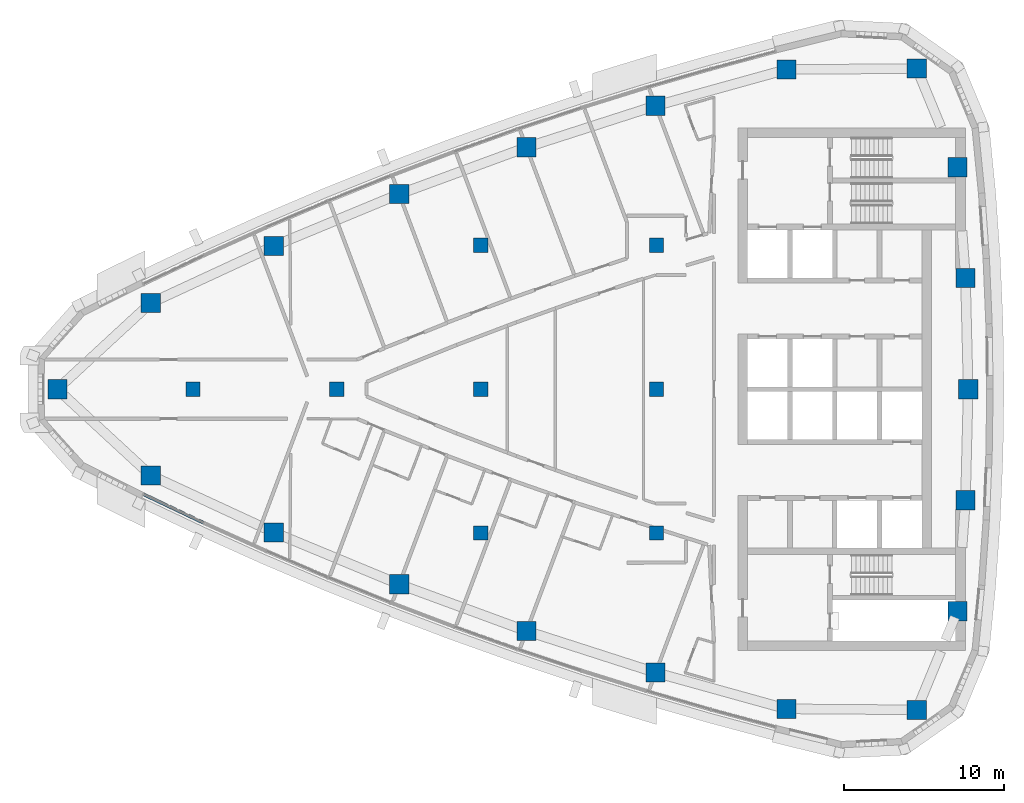
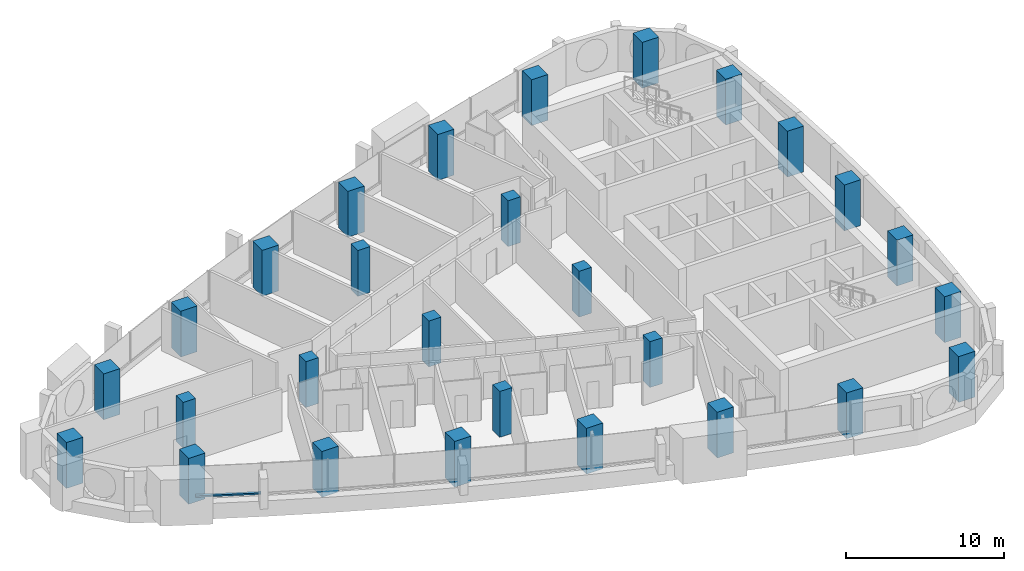
# One storey, part 1 of 16: 28 columns, 1 member, 1 element without a shape of its own.
"""IFC4 building model written with IfcOpenShell, lengths in metres."""

import ifcopenshell
import ifcopenshell.guid

model = None  # the IFC model being written
_history = None  # IfcOwnerHistory: only IFC2X3 demands one
_inside = {}  # id of a spatial element -> (the spatial element, [elements in it])
_under = {}  # id of a project, library or spatial element -> (it, [spatial elements below it])
_declared = {}  # id of a project -> (the project, [libraries it declares])
_typed = {}  # id of a type object -> (the type object, [elements of that type])
_made_of = {}  # id of a material, layer set ... -> (it, [elements and type objects made of it])


def new_model(schema):
    """Start an empty IFC model of exactly this schema.

    Asked for "IFC4X3", IfcOpenShell would pick the latest addendum, in which some entities
    have other attributes; the version numbers below select the first issue.
    IFC2X3 requires an IfcOwnerHistory on every rooted entity: one is made here for all.
    """
    global model, _history
    if schema == "IFC4X3":
        model = ifcopenshell.file(schema_version=(4, 3, 0, 0))
    else:
        model = ifcopenshell.file(schema=schema)
    _inside.clear()
    _under.clear()
    _declared.clear()
    _typed.clear()
    _made_of.clear()
    _history = None
    if model.schema == "IFC2X3":
        org = make("IfcOrganization", Name="unknown")
        user = make(
            "IfcPersonAndOrganization",
            ThePerson=make("IfcPerson", FamilyName="unknown"),
            TheOrganization=org,
        )
        app = make(
            "IfcApplication",
            ApplicationDeveloper=org,
            Version="unknown",
            ApplicationFullName="unknown",
            ApplicationIdentifier="unknown",
        )
        _history = make(
            "IfcOwnerHistory",
            OwningUser=user,
            OwningApplication=app,
            ChangeAction="ADDED",
            CreationDate=0,
        )
    return model


def make(cls, **values):
    """One entity of the class cls with the attributes given. An attribute that is None is left unset."""
    return model.create_entity(
        cls, **{name: value for name, value in values.items() if value is not None}
    )


def rooted(cls, **values):
    """An entity with a GlobalId (a new one), such as an element, a storey or a relation."""
    return make(cls, GlobalId=ifcopenshell.guid.new(), OwnerHistory=_history, **values)


def si_unit(unit_type, name, prefix=None):
    """IfcSIUnit, for example si_unit("LENGTHUNIT", "METRE", prefix="MILLI")."""
    return make("IfcSIUnit", UnitType=unit_type, Prefix=prefix, Name=name)


def assignment(units):
    """IfcUnitAssignment: the units of a project."""
    return None if units is None else make("IfcUnitAssignment", Units=units)


def point(xyz):
    """IfcCartesianPoint."""
    return None if xyz is None else make("IfcCartesianPoint", Coordinates=xyz)


def direction(xyz):
    """IfcDirection."""
    return None if xyz is None else make("IfcDirection", DirectionRatios=xyz)


def frame(location, z_axis=None, x_axis=None):
    """IfcAxis2Placement3D, a coordinate frame: its origin and axes. An axis left out is left unset."""
    return make(
        "IfcAxis2Placement3D",
        Location=point(location),
        Axis=direction(z_axis),
        RefDirection=direction(x_axis),
    )


def frame_2d(location, x_axis=None):
    """IfcAxis2Placement2D, a coordinate frame in the plane: its origin and x axis."""
    return make(
        "IfcAxis2Placement2D", Location=point(location), RefDirection=direction(x_axis)
    )


def origin():
    """The frame at (0, 0, 0) with its axes left unset."""
    return frame((0.0, 0.0, 0.0))


def origin_2d():
    """The frame at (0, 0) in the plane with its x axis left unset."""
    return frame_2d((0.0, 0.0))


def place(relative_to, where):
    """IfcLocalPlacement: puts the frame where relative to a parent placement (None: the world)."""
    return make(
        "IfcLocalPlacement", PlacementRelTo=relative_to, RelativePlacement=where
    )


def context(
    kind, dimensions, precision=None, world=None, true_north=None, identifier=None
):
    """IfcGeometricRepresentationContext, for example the 3D "Model" context."""
    return make(
        "IfcGeometricRepresentationContext",
        ContextIdentifier=identifier,
        ContextType=kind,
        CoordinateSpaceDimension=dimensions,
        Precision=precision,
        WorldCoordinateSystem=world,
        TrueNorth=true_north,
    )


def subcontext(parent, identifier, kind, view, scale=None):
    """IfcGeometricRepresentationSubContext, for example "Body" below "Model"."""
    return make(
        "IfcGeometricRepresentationSubContext",
        ContextIdentifier=identifier,
        ContextType=kind,
        ParentContext=parent,
        TargetScale=scale,
        TargetView=view,
    )


def project(units=None, contexts=None):
    """IfcProject with its units and contexts."""
    return rooted(
        "IfcProject",
        Name="project",
        RepresentationContexts=contexts,
        UnitsInContext=assignment(units),
    )


def spatial(cls, under=None, at=None, **own):
    """A site, building, storey or space (cls), placed at a placement, below another one or the project."""
    s = rooted(cls, ObjectPlacement=at, **own)
    if under is not None:
        _under.setdefault(under.id(), (under, []))[1].append(s)
    return s


def profile(cls, at=None, kind="AREA", **sizes):
    """A parametric profile (cls). Its sizes go by their IFC names, for example OverallWidth=200.0."""
    return make(cls, ProfileType=kind, Position=at, **sizes)


def rectangle(**sizes):
    """IfcRectangleProfileDef."""
    return profile("IfcRectangleProfileDef", **sizes)


def extrude(swept, where, along, depth):
    """IfcExtrudedAreaSolid: the profile swept, set in the frame where, extruded along a direction by depth."""
    return make(
        "IfcExtrudedAreaSolid",
        SweptArea=swept,
        Position=where,
        ExtrudedDirection=direction(along),
        Depth=depth,
    )


def shape(context_of_items, identifier, shape_type, items):
    """IfcShapeRepresentation: the items that make up one representation, for example the "Body"."""
    return make(
        "IfcShapeRepresentation",
        ContextOfItems=context_of_items,
        RepresentationIdentifier=identifier,
        RepresentationType=shape_type,
        Items=items,
    )


def material(Name=None, Category=None):
    """IfcMaterial."""
    return make("IfcMaterial", Name=Name, Category=Category)


def layer(
    of_material, thickness, ventilated=None, Name=None, Category=None, Priority=None
):
    """IfcMaterialLayer: one layer of a wall or slab, of a material (None: an air gap)."""
    return make(
        "IfcMaterialLayer",
        Material=of_material,
        LayerThickness=thickness,
        IsVentilated=ventilated,
        Name=Name,
        Category=Category,
        Priority=Priority,
    )


def layer_set(layers, Name=None):
    """IfcMaterialLayerSet."""
    return make("IfcMaterialLayerSet", MaterialLayers=layers, LayerSetName=Name)


def material_profile(
    of_material, cross_section, Name=None, Category=None, Priority=None
):
    """IfcMaterialProfile: a cross section and its material."""
    return make(
        "IfcMaterialProfile",
        Name=Name,
        Material=of_material,
        Profile=cross_section,
        Priority=Priority,
        Category=Category,
    )


def profile_set(profiles, Name=None, composite=None):
    """IfcMaterialProfileSet."""
    return make(
        "IfcMaterialProfileSet",
        Name=Name,
        MaterialProfiles=profiles,
        CompositeProfile=composite,
    )


def made_of(thing, what):
    """Note that an element or type object is made of a material, layer set ...; save() writes the relation."""
    if what is not None:
        _made_of.setdefault(what.id(), (what, []))[1].append(thing)
    return thing


def type_object(cls, material=None, **own):
    """A type object (cls), such as IfcWallType, which elements share."""
    return made_of(rooted(cls, **own), material)


def element(
    cls,
    number,
    at=None,
    inside=None,
    cuts=None,
    type_object=None,
    material=None,
    context=None,
    identifier="Body",
    shape_type=None,
    held_by="IfcProductDefinitionShape",
    body=None,
    shapes=None,
    **own,
):
    """One element of the class cls, such as IfcWall. Its Tag is "e" and its number.

    at: its placement. inside: the storey or other place that contains it. cuts: it is an
    opening in that element (IfcRelVoidsElement). A single representation is given by context,
    identifier, shape_type and body (its items); several are given by shapes. held_by: the class
    of the entity that holds the representations. save() writes the other relations.
    """
    e = rooted(cls, Tag="e%d" % number, ObjectPlacement=at, **own)
    if body is not None:
        shapes = [shape(context, identifier, shape_type, body)]
    if shapes is not None:
        e.Representation = make(held_by, Representations=shapes)
    if inside is not None:
        _inside.setdefault(inside.id(), (inside, []))[1].append(e)
    if cuts is not None:
        rooted(
            "IfcRelVoidsElement", RelatingBuildingElement=cuts, RelatedOpeningElement=e
        )
    if type_object is not None:
        _typed.setdefault(type_object.id(), (type_object, []))[1].append(e)
    return made_of(e, material)


def aggregate(whole, parts):
    """IfcRelAggregates: a whole, such as a stair, and the parts it consists of."""
    return rooted("IfcRelAggregates", RelatingObject=whole, RelatedObjects=parts)


def save(model, path):
    """Write the relations noted so far, then the file.

    IfcRelAggregates (storeys below a building ...), IfcRelContainedInSpatialStructure (elements
    in a storey), IfcRelDefinesByType, IfcRelAssociatesMaterial and IfcRelDeclares: one each for
    every whole, place, type object, material and project.
    """
    for whole, parts in _under.values():
        aggregate(whole, parts)
    for where, things in _inside.values():
        rooted(
            "IfcRelContainedInSpatialStructure",
            RelatedElements=things,
            RelatingStructure=where,
        )
    for kind, things in _typed.values():
        rooted("IfcRelDefinesByType", RelatedObjects=things, RelatingType=kind)
    for what, things in _made_of.values():
        rooted("IfcRelAssociatesMaterial", RelatedObjects=things, RelatingMaterial=what)
    for by, libraries in _declared.values():
        rooted("IfcRelDeclares", RelatingContext=by, RelatedDefinitions=libraries)
    model.write(path)


model = new_model("IFC4")

# Units and contexts
model_context = context("Model", 3, precision=1e-05, world=origin(), true_north=direction((0.0, 1.0)))
body_context = subcontext(model_context, "Body", "Model", "MODEL_VIEW")
ifc_project = project(units=[si_unit("LENGTHUNIT", "METRE"), si_unit("AREAUNIT", "SQUARE_METRE"), si_unit("VOLUMEUNIT", "CUBIC_METRE"), si_unit("PLANEANGLEUNIT", "RADIAN"), si_unit("MASSUNIT", "GRAM", prefix="KILO")], contexts=[model_context])

# Site, building, storey
site_placement = place(None, origin())
site = spatial("IfcSite", under=ifc_project, at=site_placement, CompositionType="ELEMENT")
building_placement = place(site_placement, origin())
building = spatial("IfcBuilding", under=site, at=building_placement, Name="Ostrand Prow Hotel Tower", CompositionType="ELEMENT")
storey_placement = place(building_placement, frame((0.0, 0.0, 245.64990234375)))
storey = spatial("IfcBuildingStorey", under=building, at=storey_placement, Name="L62", CompositionType="ELEMENT", Elevation=245.64990234375)

# Columns
ifc_material_1 = material(Name="Concrete C50/60", Category="concrete")
ifc_material_profile_1 = material_profile(ifc_material_1, rectangle(XDim=0.89990234375, YDim=0.89990234375, at=origin_2d()), Name="RC 900x900")
ifc_profile_set_1 = profile_set([ifc_material_profile_1], Name="Concrete C50/60")
column_type_1 = type_object("IfcColumnType", Name="Interior column 900x900 C50/60", PredefinedType="COLUMN", material=ifc_profile_set_1)
for number, where, z_axis, x_axis, name in (
    (1, (16.0, 0.0, 0.0), (0.0, 0.0, 1.0), (1.0, 0.0, 0.0), "Interior column 16C0"),
    (2, (25.0, 0.0, 0.0), (0.0, 0.0, 1.0), (1.0, 0.0, 0.0), "Interior column 25C0"),
    (3, (34.0, -9.0, 0.0), (0.0, 0.0, 1.0), (1.0, 0.0, 0.0), "Interior column 34S9"),
    (4, (34.0, 0.0, 0.0), (0.0, 0.0, 1.0), (1.0, 0.0, 0.0), "Interior column 34C0"),
    (5, (34.0, 9.0, 0.0), (0.0, 0.0, 1.0), (1.0, 0.0, 0.0), "Interior column 34N9"),
    (6, (45.0, -9.0, 0.0), (0.0, 0.0, 1.0), (1.0, 0.0, 0.0), "Interior column 45S9"),
    (7, (45.0, 0.0, 0.0), (0.0, 0.0, 1.0), (1.0, 0.0, 0.0), "Interior column 45C0"),
    (8, (45.0, 9.0, 0.0), (0.0, 0.0, 1.0), (1.0, 0.0, 0.0), "Interior column 45N9"),
):
    element("IfcColumn", number, at=place(storey_placement, frame(where, z_axis=z_axis, x_axis=x_axis)), inside=storey, type_object=column_type_1, Name=name, PredefinedType="COLUMN", context=body_context, shape_type="SweptSolid", body=[
        extrude(rectangle(XDim=0.89990234375, YDim=0.89990234375, at=origin_2d()), origin(), (0.0, 0.0, 1.0), 3.550048828125),
    ])
ifc_material_2 = material(Name="Concrete C50/60", Category="concrete")
ifc_material_profile_2 = material_profile(ifc_material_2, rectangle(XDim=1.199951171875, YDim=1.199951171875, at=origin_2d()), Name="RC 1200x1200")
ifc_profile_set_2 = profile_set([ifc_material_profile_2], Name="Concrete C50/60")
column_type_2 = type_object("IfcColumnType", Name="Stone-faced mega column 1200x1200 C50/60", PredefinedType="COLUMN", material=ifc_profile_set_2)
for number, where, z_axis, x_axis, name in (
    (9, (7.513916015625, 0.0, 0.0), (0.0, 0.0, 1.0), (1.0, 0.0, 0.0), "Mega column P"),
    (10, (13.356201171875, -5.392822265625, 0.0), (0.0, 0.0, 1.0), (1.0, 0.0, 0.0), "Mega column S1"),
    (11, (21.05859375, -8.95751953125, 0.0), (0.0, 0.0, 1.0), (1.0, 0.0, 0.0), "Mega column S2"),
    (12, (28.900146484375, -12.205322265625, 0.0), (0.0, 0.0, 1.0), (1.0, 0.0, 0.0), "Mega column S3"),
    (13, (36.8671875, -15.131591796875, 0.0), (0.0, 0.0, 1.0), (1.0, 0.0, 0.0), "Mega column S4"),
    (14, (44.94677734375, -17.731201171875, 0.0), (0.0, 0.0, 1.0), (1.0, 0.0, 0.0), "Mega column S5"),
    (15, (53.12548828125, -19.99951171875, 0.0), (0.0, 0.0, 1.0), (1.0, 0.0, 0.0), "Mega column S6"),
    (16, (61.283935546875, -20.06201171875, 0.0), (0.0, 0.0, 1.0), (1.0, 0.0, 0.0), "Mega column SE"),
    (17, (63.826416015625, -13.887939453125, 0.0), (0.0, 0.0, 1.0), (1.0, 0.0, 0.0), "Mega column B1"),
    (18, (64.33154296875, -6.9521484375, 0.0), (0.0, 0.0, 1.0), (1.0, 0.0, 0.0), "Mega column B2"),
    (19, (64.5, 0.0, 0.0), (0.0, 0.0, 1.0), (1.0, 0.0, 0.0), "Mega column B3"),
    (20, (64.33154296875, 6.9521484375, 0.0), (0.0, 0.0, 1.0), (1.0, 0.0, 0.0), "Mega column B4"),
    (21, (63.826416015625, 13.887939453125, 0.0), (0.0, 0.0, 1.0), (1.0, 0.0, 0.0), "Mega column B5"),
    (22, (61.283935546875, 20.06201171875, 0.0), (0.0, 0.0, 1.0), (1.0, 0.0, 0.0), "Mega column NE"),
    (23, (53.12548828125, 19.99951171875, 0.0), (0.0, 0.0, 1.0), (1.0, 0.0, 0.0), "Mega column N1"),
    (24, (44.94677734375, 17.731201171875, 0.0), (0.0, 0.0, 1.0), (1.0, 0.0, 0.0), "Mega column N2"),
    (25, (36.8671875, 15.131591796875, 0.0), (0.0, 0.0, 1.0), (1.0, 0.0, 0.0), "Mega column N3"),
    (26, (28.900146484375, 12.205322265625, 0.0), (0.0, 0.0, 1.0), (1.0, 0.0, 0.0), "Mega column N4"),
    (27, (21.05859375, 8.95751953125, 0.0), (0.0, 0.0, 1.0), (1.0, 0.0, 0.0), "Mega column N5"),
    (28, (13.356201171875, 5.392822265625, 0.0), (0.0, 0.0, 1.0), (1.0, 0.0, 0.0), "Mega column N6"),
):
    element("IfcColumn", number, at=place(storey_placement, frame(where, z_axis=z_axis, x_axis=x_axis)), inside=storey, type_object=column_type_2, Name=name, PredefinedType="COLUMN", context=body_context, shape_type="SweptSolid", body=[
        extrude(rectangle(XDim=1.199951171875, YDim=1.199951171875, at=origin_2d()), origin(), (0.0, 0.0, 1.0), 3.550048828125),
    ])

# Curtain wall, member
ifc_material_3 = material(Name="Insulated glass in bronze anodised frame", Category="glass")
ifc_layer = layer(ifc_material_3, 0.199951171875)
ifc_layer_set = layer_set([ifc_layer], Name="Insulated glass in bronze anodised frame")
curtain_wall_type = type_object("IfcCurtainWallType", Name="Strip curtain wall, fritted glass over bronze spandrel", PredefinedType="NOTDEFINED", material=ifc_layer_set)
curtain_wall_placement = place(storey_placement, origin())
curtain_wall = element("IfcCurtainWall", 29, at=curtain_wall_placement, inside=storey, type_object=curtain_wall_type, Name="CW1 run CWS1", PredefinedType="NOTDEFINED")
ifc_material_4 = material(Name="Bronze anodised aluminium", Category="aluminium")
ifc_material_profile_3 = material_profile(ifc_material_4, rectangle(XDim=0.199951171875, YDim=0.1201171875, at=origin_2d()), Name="Transom 120x200 bronze anodised aluminium")
ifc_profile_set_3 = profile_set([ifc_material_profile_3], Name="Bronze anodised aluminium")
member_type = type_object("IfcMemberType", Name="Transom 120x200 bronze anodised aluminium", PredefinedType="USERDEFINED", material=ifc_profile_set_3)
member_placement = place(storey_placement, frame((12.92041015625, -6.583740234375, 0.960205078125), z_axis=(0.903364977925, -0.428872611226, 0.0), x_axis=(0.428872611226, 0.903364977925, 0.0)))
member = element("IfcMember", 30, at=member_placement, type_object=member_type, Name="CW1 transom 1.1", ObjectType="TRANSOM", PredefinedType="USERDEFINED", context=body_context, shape_type="SweptSolid", body=[
    extrude(rectangle(XDim=0.199951171875, YDim=0.1201171875, at=origin_2d()), origin(), (0.0, 0.0, 1.0), 4.16357421875),
])
aggregate(curtain_wall, [member])

save(model, "model.ifc")
